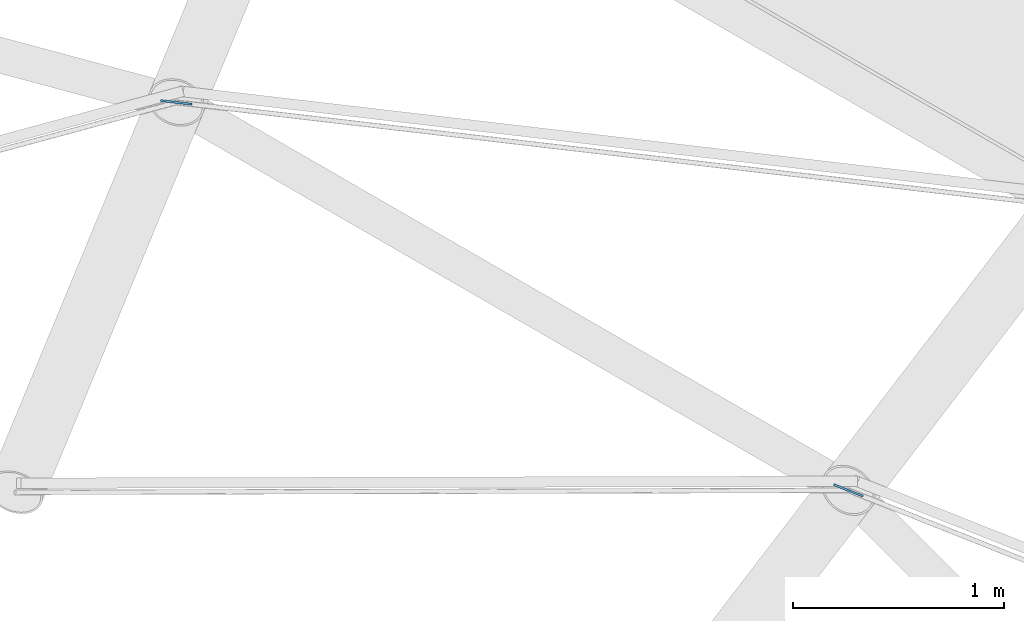
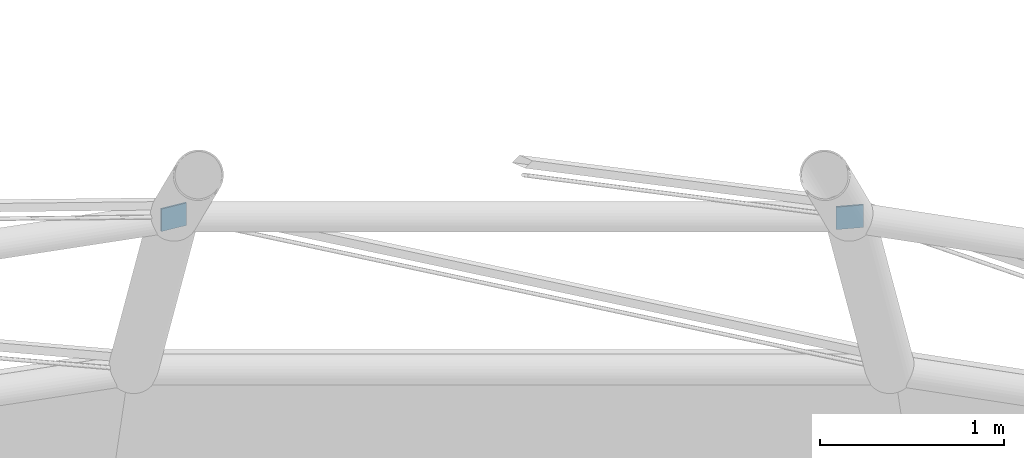
# One storey, part 46 of 62: 2 discrete accessories.
"""IFC4 building model written with IfcOpenShell, lengths in metres."""

from ifc_helpers import new_model, si_unit, direction, frame, origin, origin_2d, place, context, subcontext, project, spatial, rectangle, extrude, material, type_object, element, save


model = new_model("IFC4")

# Units and contexts
model_context = context("Model", 3, precision=1e-05, world=origin(), true_north=direction((0.0, 1.0)))
body_context = subcontext(model_context, "Body", "Model", "MODEL_VIEW")
ifc_project = project(units=[si_unit("LENGTHUNIT", "METRE"), si_unit("AREAUNIT", "SQUARE_METRE"), si_unit("VOLUMEUNIT", "CUBIC_METRE"), si_unit("PLANEANGLEUNIT", "RADIAN"), si_unit("MASSUNIT", "GRAM", prefix="KILO")], contexts=[model_context])

# Site, building, storey
site_placement = place(None, origin())
site = spatial("IfcSite", under=ifc_project, at=site_placement, CompositionType="ELEMENT")
building_placement = place(site_placement, origin())
building = spatial("IfcBuilding", under=site, at=building_placement, Name="Hortulan Conservatory and Botanical Research Centre", CompositionType="ELEMENT")
storey_placement = place(building_placement, frame((0.0, 0.0, 15.0)))
storey = spatial("IfcBuildingStorey", under=building, at=storey_placement, Name="L03", CompositionType="ELEMENT", Elevation=15.0)

# Discrete accessories
ifc_material = material(Name="Steel Grade 300 plate (AS/NZS 3678, 280 MPa minimum yield)", Category="steel")
discrete_accessory_type = type_object("IfcDiscreteAccessoryType", Name="End Plate 150x10", PredefinedType="BRACKET", material=ifc_material)
for number, where, z_axis, x_axis, name in (
    (1, (59.396728515625, 31.029052734375, 2.636962890625), (0.0, 0.0, 1.0), (0.993280168002, -0.115734644136, 0.0), "Dome rod end plate"),
    (2, (62.585205078125, 29.188232421875, 2.636962890625), (0.0, 0.0, 1.0), (0.92947419878, -0.36888712881, 0.0), "Dome rod end plate"),
):
    element("IfcDiscreteAccessory", number, at=place(storey_placement, frame(where, z_axis=z_axis, x_axis=x_axis)), inside=storey, type_object=discrete_accessory_type, Name=name, PredefinedType="BRACKET", context=body_context, shape_type="SweptSolid", body=[
        extrude(rectangle(XDim=0.14990234375, YDim=0.010009765625, at=origin_2d()), origin(), (0.0, 0.0, 1.0), 0.14990234375),
    ])

save(model, "model.ifc")
